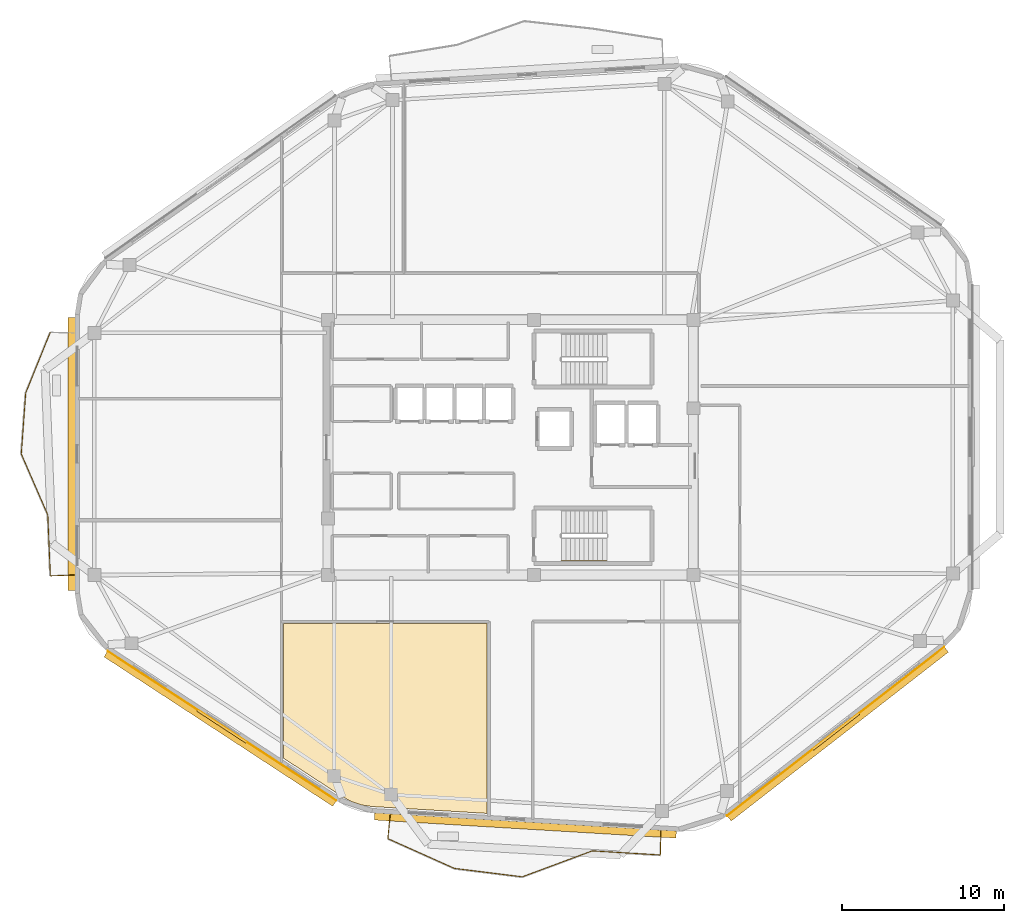
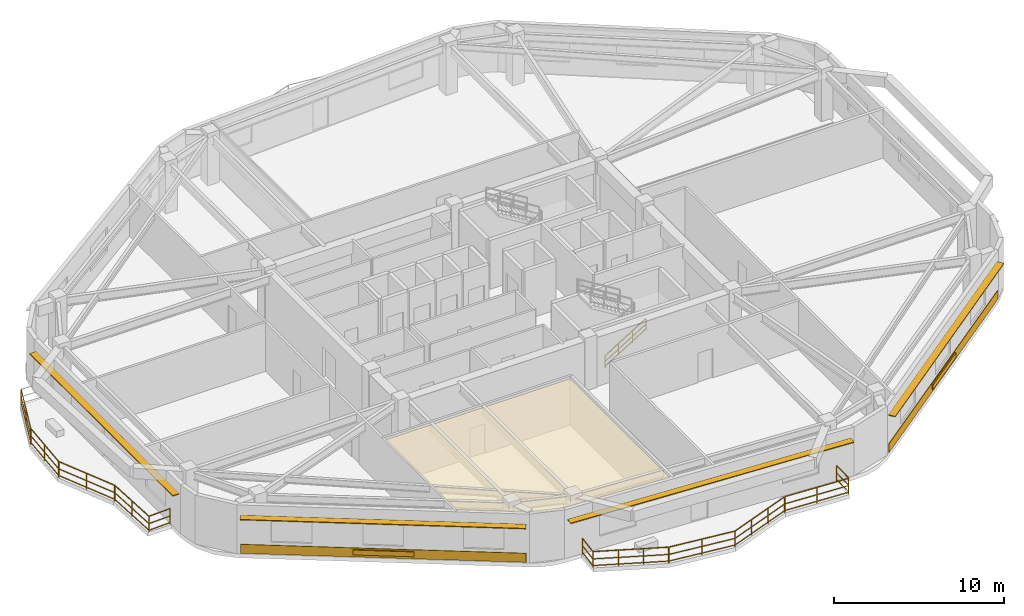
# One storey, part 7 of 9: 12 railings, 6 shading devices, 3 coverings.
"""IFC4 building model written with IfcOpenShell, lengths in metres."""

from ifc_helpers import new_model, si_unit, direction, frame, origin, origin_2d, place, context, subcontext, project, spatial, polyline, rectangle, outline, extrude, material, layer, layer_set, type_object, element, save


model = new_model("IFC4")

# Units and contexts
model_context = context("Model", 3, precision=1e-05, world=origin(), true_north=direction((0.0, 1.0)))
body_context = subcontext(model_context, "Body", "Model", "MODEL_VIEW")
ifc_project = project(units=[si_unit("LENGTHUNIT", "METRE"), si_unit("AREAUNIT", "SQUARE_METRE"), si_unit("VOLUMEUNIT", "CUBIC_METRE"), si_unit("PLANEANGLEUNIT", "RADIAN"), si_unit("MASSUNIT", "GRAM", prefix="KILO")], contexts=[model_context])

# Site, building, storey
site_placement = place(None, origin())
site = spatial("IfcSite", under=ifc_project, at=site_placement, CompositionType="ELEMENT")
building_placement = place(site_placement, origin())
building = spatial("IfcBuilding", under=site, at=building_placement, Name="Zulverin Broadcast Headquarters", CompositionType="ELEMENT")
storey_placement = place(building_placement, frame((0.0, 0.0, 259.199951171875)))
storey = spatial("IfcBuildingStorey", under=building, at=storey_placement, Name="L66", CompositionType="ELEMENT", Elevation=259.199951171875)

# Coverings
ifc_material_1 = material(Name="Perforated pale-metal acoustic baffle ceiling", Category="aluminium")
ifc_layer_1 = layer(ifc_material_1, 0.0400390625, Name="Perforated pale-metal acoustic baffle ceiling", Category="aluminium")
ifc_layer_set_1 = layer_set([ifc_layer_1], Name="Perforated pale-metal acoustic baffle ceiling")
covering_type_1 = type_object("IfcCoveringType", Name="COV-CEIL-ACOU", PredefinedType="CEILING", material=ifc_layer_set_1)
covering_1_placement = place(storey_placement, frame((0.0, 0.0, 3.330078125)))
element("IfcCovering", 1, at=covering_1_placement, inside=storey, type_object=covering_type_1, Name="L66 Acoustic Baffle Ceiling 03", PredefinedType="CEILING", context=body_context, shape_type="SweptSolid", body=[
    extrude(outline(polyline([(27.18798828125, 3.33203125), (27.7958984375, 3.1279296875), (28.444091796875, 3.031982421875), (35.531982421875, 2.60791015625), (35.531982421875, 14.33203125), (22.968017578125, 14.33203125), (22.968017578125, 6.01611328125), (26.60791015625, 3.639892578125), (27.18798828125, 3.33203125)])), origin(), (0.0, 0.0, 1.0), 0.0400390625),
])
ifc_material_2 = material(Name="Brushed pale-aluminium rainscreen cladding", Category="aluminium")
ifc_layer_2 = layer(ifc_material_2, 0.0400390625, Name="Brushed pale-aluminium rainscreen cladding", Category="aluminium")
ifc_layer_set_2 = layer_set([ifc_layer_2], Name="Brushed pale-aluminium rainscreen cladding")
covering_type_2 = type_object("IfcCoveringType", Name="COV-CLAD-PALE", PredefinedType="CLADDING", material=ifc_layer_set_2)
covering_2_placement = place(storey_placement, frame((57.059326171875, 7.6767578125, 0.05517578125), z_axis=(0.0, 0.0, 1.0), x_axis=(0.789459183061, 0.613803061479, 0.0)))
element("IfcCovering", 2, at=covering_2_placement, inside=storey, type_object=covering_type_2, Name="L66 Brushed Pale-Aluminium Spandrel Cladding 2", PredefinedType="CLADDING", context=body_context, shape_type="SweptSolid", body=[
    extrude(rectangle(XDim=16.987548828125, YDim=0.0400390625, at=origin_2d()), origin(), (0.0, 0.0, 1.0), 0.64990234375),
])
covering_3_placement = place(storey_placement, frame((19.17578125, 8.00732421875, 0.05517578125), z_axis=(0.0, 0.0, 1.0), x_axis=(0.837115830387, -0.54702567263, 0.0)))
element("IfcCovering", 3, at=covering_3_placement, inside=storey, type_object=covering_type_2, Name="L66 Brushed Pale-Aluminium Spandrel Cladding 8", PredefinedType="CLADDING", context=body_context, shape_type="SweptSolid", body=[
    extrude(rectangle(XDim=16.859130859375, YDim=0.0400390625, at=origin_2d()), origin(), (0.0, 0.0, 1.0), 0.64990234375),
])

# Railings
ifc_material_3 = material(Name="Brushed stainless steel & laminated glass balustrade", Category="steel")
railing_type_1 = type_object("IfcRailingType", Name="RL-GUARD-1150", PredefinedType="GUARDRAIL", material=ifc_material_3)
railing_1_placement = place(storey_placement, frame((8.574462890625, 32.311279296875, 0.0)))
element("IfcRailing", 4, at=railing_1_placement, inside=storey, type_object=railing_type_1, Name="L66 Vertical-Forest Balcony Guardrail BAL_W Segment 02", PredefinedType="GUARDRAIL", context=body_context, shape_type="SweptSolid", body=[
    extrude(rectangle(XDim=0.048095703125, YDim=0.048095703125, at=origin_2d()), frame((0.0, 0.0, 1.1259765625), z_axis=(-0.374907709016, -0.927062139083, 0.0), x_axis=(0.927062139083, -0.374907709016, 0.0)), (0.0, 0.0, 1.0), 4.0302734375),
    extrude(rectangle(XDim=0.0419921875, YDim=0.0419921875, at=origin_2d()), frame((0.0, 0.0, 0.597900390625), z_axis=(-0.374907709016, -0.927062139083, 0.0), x_axis=(0.927062139083, -0.374907709016, 0.0)), (0.0, 0.0, 1.0), 4.0302734375),
    extrude(rectangle(XDim=0.0419921875, YDim=0.0419921875, at=origin_2d()), frame((0.0, 0.0, 0.1201171875), z_axis=(-0.374907709016, -0.927062139083, 0.0), x_axis=(0.927062139083, -0.374907709016, 0.0)), (0.0, 0.0, 1.0), 4.0302734375),
    extrude(rectangle(XDim=0.0419921875, YDim=0.0419921875, at=origin_2d()), origin(), (0.0, 0.0, 1.0), 1.101806640625),
    extrude(rectangle(XDim=0.0419921875, YDim=0.0419921875, at=origin_2d()), frame((-0.75537109375, -1.8681640625, 0.0)), (0.0, 0.0, 1.0), 1.101806640625),
    extrude(rectangle(XDim=0.0419921875, YDim=0.0419921875, at=origin_2d()), frame((-1.510986328125, -3.736328125, 0.0)), (0.0, 0.0, 1.0), 1.101806640625),
])
railing_2_placement = place(storey_placement, frame((7.056884765625, 28.546142578125, 0.0)))
element("IfcRailing", 5, at=railing_2_placement, inside=storey, type_object=railing_type_1, Name="L66 Vertical-Forest Balcony Guardrail BAL_W Segment 03", PredefinedType="GUARDRAIL", context=body_context, shape_type="SweptSolid", body=[
    extrude(rectangle(XDim=0.048095703125, YDim=0.048095703125, at=origin_2d()), frame((0.0, 0.0, 1.1259765625), z_axis=(-0.072252637451, -0.997386362641, 0.0), x_axis=(0.997386362641, -0.072252637451, 0.0)), (0.0, 0.0, 1.0), 3.743896484375),
    extrude(rectangle(XDim=0.0419921875, YDim=0.0419921875, at=origin_2d()), frame((0.0, 0.0, 0.597900390625), z_axis=(-0.072252637451, -0.997386362641, 0.0), x_axis=(0.997386362641, -0.072252637451, 0.0)), (0.0, 0.0, 1.0), 3.743896484375),
    extrude(rectangle(XDim=0.0419921875, YDim=0.0419921875, at=origin_2d()), frame((0.0, 0.0, 0.1201171875), z_axis=(-0.072252637451, -0.997386362641, 0.0), x_axis=(0.997386362641, -0.072252637451, 0.0)), (0.0, 0.0, 1.0), 3.743896484375),
    extrude(rectangle(XDim=0.0419921875, YDim=0.0419921875, at=origin_2d()), origin(), (0.0, 0.0, 1.0), 1.101806640625),
    extrude(rectangle(XDim=0.0419921875, YDim=0.0419921875, at=origin_2d()), frame((-0.13525390625, -1.8671875, 0.0)), (0.0, 0.0, 1.0), 1.101806640625),
    extrude(rectangle(XDim=0.0419921875, YDim=0.0419921875, at=origin_2d()), frame((-0.2705078125, -3.734130859375, 0.0)), (0.0, 0.0, 1.0), 1.101806640625),
])
railing_3_placement = place(storey_placement, frame((6.791259765625, 24.783203125, 0.0)))
element("IfcRailing", 6, at=railing_3_placement, inside=storey, type_object=railing_type_1, Name="L66 Vertical-Forest Balcony Guardrail BAL_W Segment 04", PredefinedType="GUARDRAIL", context=body_context, shape_type="SweptSolid", body=[
    extrude(rectangle(XDim=0.048095703125, YDim=0.048095703125, at=origin_2d()), frame((0.0, 0.0, 1.1259765625), z_axis=(0.398456564291, -0.91718720356, 0.0), x_axis=(0.91718720356, 0.398456564291, 0.0)), (0.0, 0.0, 1.0), 4.073974609375),
    extrude(rectangle(XDim=0.0419921875, YDim=0.0419921875, at=origin_2d()), frame((0.0, 0.0, 0.597900390625), z_axis=(0.398456564291, -0.91718720356, 0.0), x_axis=(0.91718720356, 0.398456564291, 0.0)), (0.0, 0.0, 1.0), 4.073974609375),
    extrude(rectangle(XDim=0.0419921875, YDim=0.0419921875, at=origin_2d()), frame((0.0, 0.0, 0.1201171875), z_axis=(0.398456564291, -0.91718720356, 0.0), x_axis=(0.91718720356, 0.398456564291, 0.0)), (0.0, 0.0, 1.0), 4.073974609375),
    extrude(rectangle(XDim=0.0419921875, YDim=0.0419921875, at=origin_2d()), origin(), (0.0, 0.0, 1.0), 1.101806640625),
    extrude(rectangle(XDim=0.0419921875, YDim=0.0419921875, at=origin_2d()), frame((0.8115234375, -1.8681640625, 0.0)), (0.0, 0.0, 1.0), 1.101806640625),
    extrude(rectangle(XDim=0.0419921875, YDim=0.0419921875, at=origin_2d()), frame((1.623291015625, -3.736572265625, 0.0)), (0.0, 0.0, 1.0), 1.101806640625),
])
railing_4_placement = place(storey_placement, frame((8.421142578125, 21.017822265625, 0.0)))
element("IfcRailing", 7, at=railing_4_placement, inside=storey, type_object=railing_type_1, Name="L66 Vertical-Forest Balcony Guardrail BAL_W Segment 05", PredefinedType="GUARDRAIL", context=body_context, shape_type="SweptSolid", body=[
    extrude(rectangle(XDim=0.048095703125, YDim=0.048095703125, at=origin_2d()), frame((0.0, 0.0, 1.1259765625), z_axis=(0.042328814625, -0.99910373408, 0.0), x_axis=(0.99910373408, 0.042328814625, 0.0)), (0.0, 0.0, 1.0), 3.737548828125),
    extrude(rectangle(XDim=0.0419921875, YDim=0.0419921875, at=origin_2d()), frame((0.0, 0.0, 0.597900390625), z_axis=(0.042328814625, -0.99910373408, 0.0), x_axis=(0.99910373408, 0.042328814625, 0.0)), (0.0, 0.0, 1.0), 3.737548828125),
    extrude(rectangle(XDim=0.0419921875, YDim=0.0419921875, at=origin_2d()), frame((0.0, 0.0, 0.1201171875), z_axis=(0.042328814625, -0.99910373408, 0.0), x_axis=(0.99910373408, 0.042328814625, 0.0)), (0.0, 0.0, 1.0), 3.737548828125),
    extrude(rectangle(XDim=0.0419921875, YDim=0.0419921875, at=origin_2d()), origin(), (0.0, 0.0, 1.0), 1.101806640625),
    extrude(rectangle(XDim=0.0419921875, YDim=0.0419921875, at=origin_2d()), frame((0.0791015625, -1.8671875, 0.0)), (0.0, 0.0, 1.0), 1.101806640625),
    extrude(rectangle(XDim=0.0419921875, YDim=0.0419921875, at=origin_2d()), frame((0.158203125, -3.734130859375, 0.0)), (0.0, 0.0, 1.0), 1.101806640625),
])
railing_5_placement = place(storey_placement, frame((8.594970703125, 17.269287109375, 0.0)))
element("IfcRailing", 8, at=railing_5_placement, inside=storey, type_object=railing_type_1, Name="L66 Vertical-Forest Balcony Guardrail BAL_W Segment 06", PredefinedType="GUARDRAIL", context=body_context, shape_type="SweptSolid", body=[
    extrude(rectangle(XDim=0.048095703125, YDim=0.048095703125, at=origin_2d()), frame((0.0, 0.0, 1.1259765625), z_axis=(0.999181155166, 0.040460093435, 0.0), x_axis=(-0.040460093435, 0.999181155166, 0.0)), (0.0, 0.0, 1.0), 1.46630859375),
    extrude(rectangle(XDim=0.0419921875, YDim=0.0419921875, at=origin_2d()), frame((0.0, 0.0, 0.597900390625), z_axis=(0.999181155166, 0.040460093435, 0.0), x_axis=(-0.040460093435, 0.999181155166, 0.0)), (0.0, 0.0, 1.0), 1.46630859375),
    extrude(rectangle(XDim=0.0419921875, YDim=0.0419921875, at=origin_2d()), frame((0.0, 0.0, 0.1201171875), z_axis=(0.999181155166, 0.040460093435, 0.0), x_axis=(-0.040460093435, 0.999181155166, 0.0)), (0.0, 0.0, 1.0), 1.46630859375),
    extrude(rectangle(XDim=0.0419921875, YDim=0.0419921875, at=origin_2d()), origin(), (0.0, 0.0, 1.0), 1.101806640625),
    extrude(rectangle(XDim=0.0419921875, YDim=0.0419921875, at=origin_2d()), frame((1.465087890625, 0.059326171875, 0.0)), (0.0, 0.0, 1.0), 1.101806640625),
])
railing_6_placement = place(storey_placement, frame((29.5576171875, 2.525390625, 0.0)))
element("IfcRailing", 9, at=railing_6_placement, inside=storey, type_object=railing_type_1, Name="L66 Vertical-Forest Balcony Guardrail BAL_S Segment 01", PredefinedType="GUARDRAIL", context=body_context, shape_type="SweptSolid", body=[
    extrude(rectangle(XDim=0.048095703125, YDim=0.048095703125, at=origin_2d()), frame((0.0, 0.0, 1.1259765625), z_axis=(-0.100245616419, -0.994962721105, 0.0), x_axis=(0.994962721105, -0.100245616419, 0.0)), (0.0, 0.0, 1.0), 1.466064453125),
    extrude(rectangle(XDim=0.0419921875, YDim=0.0419921875, at=origin_2d()), frame((0.0, 0.0, 0.597900390625), z_axis=(-0.100245616419, -0.994962721105, 0.0), x_axis=(0.994962721105, -0.100245616419, 0.0)), (0.0, 0.0, 1.0), 1.466064453125),
    extrude(rectangle(XDim=0.0419921875, YDim=0.0419921875, at=origin_2d()), frame((0.0, 0.0, 0.1201171875), z_axis=(-0.100245616419, -0.994962721105, 0.0), x_axis=(0.994962721105, -0.100245616419, 0.0)), (0.0, 0.0, 1.0), 1.466064453125),
    extrude(rectangle(XDim=0.0419921875, YDim=0.0419921875, at=origin_2d()), origin(), (0.0, 0.0, 1.0), 1.101806640625),
    extrude(rectangle(XDim=0.0419921875, YDim=0.0419921875, at=origin_2d()), frame((-0.14697265625, -1.458740234375, 0.0)), (0.0, 0.0, 1.0), 1.101806640625),
])
railing_7_placement = place(storey_placement, frame((29.4228515625, 1.045654296875, 0.0)))
element("IfcRailing", 10, at=railing_7_placement, inside=storey, type_object=railing_type_1, Name="L66 Vertical-Forest Balcony Guardrail BAL_S Segment 02", PredefinedType="GUARDRAIL", context=body_context, shape_type="SweptSolid", body=[
    extrude(rectangle(XDim=0.048095703125, YDim=0.048095703125, at=origin_2d()), frame((0.0, 0.0, 1.1259765625), z_axis=(0.912796308073, -0.408415107419, 0.0), x_axis=(0.408415107419, 0.912796308073, 0.0)), (0.0, 0.0, 1.0), 4.474853515625),
    extrude(rectangle(XDim=0.0419921875, YDim=0.0419921875, at=origin_2d()), frame((0.0, 0.0, 0.597900390625), z_axis=(0.912796308073, -0.408415107419, 0.0), x_axis=(0.408415107419, 0.912796308073, 0.0)), (0.0, 0.0, 1.0), 4.474853515625),
    extrude(rectangle(XDim=0.0419921875, YDim=0.0419921875, at=origin_2d()), frame((0.0, 0.0, 0.1201171875), z_axis=(0.912796308073, -0.408415107419, 0.0), x_axis=(0.408415107419, 0.912796308073, 0.0)), (0.0, 0.0, 1.0), 4.474853515625),
    extrude(rectangle(XDim=0.0419921875, YDim=0.0419921875, at=origin_2d()), origin(), (0.0, 0.0, 1.0), 1.101806640625),
    extrude(rectangle(XDim=0.0419921875, YDim=0.0419921875, at=origin_2d()), frame((1.361572265625, -0.609130859375, 0.0)), (0.0, 0.0, 1.0), 1.101806640625),
    extrude(rectangle(XDim=0.0419921875, YDim=0.0419921875, at=origin_2d()), frame((2.72314453125, -1.218505859375, 0.0)), (0.0, 0.0, 1.0), 1.101806640625),
    extrude(rectangle(XDim=0.0419921875, YDim=0.0419921875, at=origin_2d()), frame((4.084716796875, -1.82763671875, 0.0)), (0.0, 0.0, 1.0), 1.101806640625),
])
railing_8_placement = place(storey_placement, frame((33.5361328125, -0.7900390625, 0.0)))
element("IfcRailing", 11, at=railing_8_placement, inside=storey, type_object=railing_type_1, Name="L66 Vertical-Forest Balcony Guardrail BAL_S Segment 03", PredefinedType="GUARDRAIL", context=body_context, shape_type="SweptSolid", body=[
    extrude(rectangle(XDim=0.048095703125, YDim=0.048095703125, at=origin_2d()), frame((0.0, 0.0, 1.1259765625), z_axis=(0.992375201283, -0.123253640429, 0.0), x_axis=(0.123253640429, 0.992375201283, 0.0)), (0.0, 0.0, 1.0), 4.193359375),
    extrude(rectangle(XDim=0.0419921875, YDim=0.0419921875, at=origin_2d()), frame((0.0, 0.0, 0.597900390625), z_axis=(0.992375201283, -0.123253640429, 0.0), x_axis=(0.123253640429, 0.992375201283, 0.0)), (0.0, 0.0, 1.0), 4.193359375),
    extrude(rectangle(XDim=0.0419921875, YDim=0.0419921875, at=origin_2d()), frame((0.0, 0.0, 0.1201171875), z_axis=(0.992375201283, -0.123253640429, 0.0), x_axis=(0.123253640429, 0.992375201283, 0.0)), (0.0, 0.0, 1.0), 4.193359375),
    extrude(rectangle(XDim=0.0419921875, YDim=0.0419921875, at=origin_2d()), origin(), (0.0, 0.0, 1.0), 1.101806640625),
    extrude(rectangle(XDim=0.0419921875, YDim=0.0419921875, at=origin_2d()), frame((2.08056640625, -0.25830078125, 0.0)), (0.0, 0.0, 1.0), 1.101806640625),
    extrude(rectangle(XDim=0.0419921875, YDim=0.0419921875, at=origin_2d()), frame((4.161376953125, -0.516845703125, 0.0)), (0.0, 0.0, 1.0), 1.101806640625),
])
railing_9_placement = place(storey_placement, frame((37.7265625, -1.303466796875, 0.0)))
element("IfcRailing", 12, at=railing_9_placement, inside=storey, type_object=railing_type_1, Name="L66 Vertical-Forest Balcony Guardrail BAL_S Segment 04", PredefinedType="GUARDRAIL", context=body_context, shape_type="SweptSolid", body=[
    extrude(rectangle(XDim=0.048095703125, YDim=0.048095703125, at=origin_2d()), frame((0.0, 0.0, 1.1259765625), z_axis=(0.937520756243, 0.347929348595, 0.0), x_axis=(-0.347929348595, 0.937520756243, 0.0)), (0.0, 0.0, 1.0), 4.576416015625),
    extrude(rectangle(XDim=0.0419921875, YDim=0.0419921875, at=origin_2d()), frame((0.0, 0.0, 0.597900390625), z_axis=(0.937520756243, 0.347929348595, 0.0), x_axis=(-0.347929348595, 0.937520756243, 0.0)), (0.0, 0.0, 1.0), 4.576416015625),
    extrude(rectangle(XDim=0.0419921875, YDim=0.0419921875, at=origin_2d()), frame((0.0, 0.0, 0.1201171875), z_axis=(0.937520756243, 0.347929348595, 0.0), x_axis=(-0.347929348595, 0.937520756243, 0.0)), (0.0, 0.0, 1.0), 4.576416015625),
    extrude(rectangle(XDim=0.0419921875, YDim=0.0419921875, at=origin_2d()), origin(), (0.0, 0.0, 1.0), 1.101806640625),
    extrude(rectangle(XDim=0.0419921875, YDim=0.0419921875, at=origin_2d()), frame((1.43017578125, 0.53076171875, 0.0)), (0.0, 0.0, 1.0), 1.101806640625),
    extrude(rectangle(XDim=0.0419921875, YDim=0.0419921875, at=origin_2d()), frame((2.8603515625, 1.0615234375, 0.0)), (0.0, 0.0, 1.0), 1.101806640625),
    extrude(rectangle(XDim=0.0419921875, YDim=0.0419921875, at=origin_2d()), frame((4.29052734375, 1.59228515625, 0.0)), (0.0, 0.0, 1.0), 1.101806640625),
])
railing_10_placement = place(storey_placement, frame((42.046142578125, 0.29296875, 0.0)))
element("IfcRailing", 13, at=railing_10_placement, inside=storey, type_object=railing_type_1, Name="L66 Vertical-Forest Balcony Guardrail BAL_S Segment 05", PredefinedType="GUARDRAIL", context=body_context, shape_type="SweptSolid", body=[
    extrude(rectangle(XDim=0.048095703125, YDim=0.048095703125, at=origin_2d()), frame((0.0, 0.0, 1.1259765625), z_axis=(0.998203450049, -0.059915543144, 0.0), x_axis=(0.059915543144, 0.998203450049, 0.0)), (0.0, 0.0, 1.0), 4.184814453125),
    extrude(rectangle(XDim=0.0419921875, YDim=0.0419921875, at=origin_2d()), frame((0.0, 0.0, 0.597900390625), z_axis=(0.998203450049, -0.059915543144, 0.0), x_axis=(0.059915543144, 0.998203450049, 0.0)), (0.0, 0.0, 1.0), 4.184814453125),
    extrude(rectangle(XDim=0.0419921875, YDim=0.0419921875, at=origin_2d()), frame((0.0, 0.0, 0.1201171875), z_axis=(0.998203450049, -0.059915543144, 0.0), x_axis=(0.059915543144, 0.998203450049, 0.0)), (0.0, 0.0, 1.0), 4.184814453125),
    extrude(rectangle(XDim=0.0419921875, YDim=0.0419921875, at=origin_2d()), origin(), (0.0, 0.0, 1.0), 1.101806640625),
    extrude(rectangle(XDim=0.0419921875, YDim=0.0419921875, at=origin_2d()), frame((2.088623046875, -0.12548828125, 0.0)), (0.0, 0.0, 1.0), 1.101806640625),
    extrude(rectangle(XDim=0.0419921875, YDim=0.0419921875, at=origin_2d()), frame((4.17724609375, -0.250732421875, 0.0)), (0.0, 0.0, 1.0), 1.101806640625),
])
railing_11_placement = place(storey_placement, frame((46.23876953125, 0.056396484375, 0.0)))
element("IfcRailing", 14, at=railing_11_placement, inside=storey, type_object=railing_type_1, Name="L66 Vertical-Forest Balcony Guardrail BAL_S Segment 06", PredefinedType="GUARDRAIL", context=body_context, shape_type="SweptSolid", body=[
    extrude(rectangle(XDim=0.048095703125, YDim=0.048095703125, at=origin_2d()), frame((0.0, 0.0, 1.1259765625), z_axis=(0.019483309682, 0.999810182307, 0.0), x_axis=(-0.999810182307, 0.019483309682, 0.0)), (0.0, 0.0, 1.0), 1.466064453125),
    extrude(rectangle(XDim=0.0419921875, YDim=0.0419921875, at=origin_2d()), frame((0.0, 0.0, 0.597900390625), z_axis=(0.019483309682, 0.999810182307, 0.0), x_axis=(-0.999810182307, 0.019483309682, 0.0)), (0.0, 0.0, 1.0), 1.466064453125),
    extrude(rectangle(XDim=0.0419921875, YDim=0.0419921875, at=origin_2d()), frame((0.0, 0.0, 0.1201171875), z_axis=(0.019483309682, 0.999810182307, 0.0), x_axis=(-0.999810182307, 0.019483309682, 0.0)), (0.0, 0.0, 1.0), 1.466064453125),
    extrude(rectangle(XDim=0.0419921875, YDim=0.0419921875, at=origin_2d()), origin(), (0.0, 0.0, 1.0), 1.101806640625),
    extrude(rectangle(XDim=0.0419921875, YDim=0.0419921875, at=origin_2d()), frame((0.028564453125, 1.4658203125, 0.0)), (0.0, 0.0, 1.0), 1.101806640625),
])
ifc_material_4 = material(Name="Brushed stainless steel 48 mm handrail", Category="steel")
railing_type_2 = type_object("IfcRailingType", Name="RL-ST-HAND", PredefinedType="HANDRAIL", material=ifc_material_4)
railing_12_placement = place(storey_placement, frame((40.1298828125, 18.199951171875, 0.1728515625)))
element("IfcRailing", 15, at=railing_12_placement, inside=storey, type_object=railing_type_2, Name="L66 ST-2 stair handrail 1", PredefinedType="HANDRAIL", context=body_context, shape_type="SweptSolid", body=[
    extrude(rectangle(XDim=0.048095703125, YDim=0.048095703125, at=origin_2d()), frame((0.0, 0.0, 0.8759765625), z_axis=(0.851089632645, 0.0, 0.525020415988), x_axis=(0.0, 1.0, 0.0)), (0.0, 0.0, 1.0), 3.2900390625),
    extrude(rectangle(XDim=0.0419921875, YDim=0.0419921875, at=origin_2d()), frame((0.0, 0.0, 0.468017578125), z_axis=(0.851089632645, 0.0, 0.525020415988), x_axis=(0.0, 1.0, 0.0)), (0.0, 0.0, 1.0), 3.2900390625),
    extrude(rectangle(XDim=0.0419921875, YDim=0.0419921875, at=origin_2d()), frame((0.0, 0.0, 0.1201171875), z_axis=(0.851089632645, 0.0, 0.525020415988), x_axis=(0.0, 1.0, 0.0)), (0.0, 0.0, 1.0), 3.2900390625),
    extrude(rectangle(XDim=0.0419921875, YDim=0.0419921875, at=origin_2d()), origin(), (0.0, 0.0, 1.0), 0.851806640625),
    extrude(rectangle(XDim=0.0419921875, YDim=0.0419921875, at=origin_2d()), frame((0.933349609375, 0.0, 0.57568359375)), (0.0, 0.0, 1.0), 0.851806640625),
    extrude(rectangle(XDim=0.0419921875, YDim=0.0419921875, at=origin_2d()), frame((1.86669921875, 0.0, 1.151611328125)), (0.0, 0.0, 1.0), 0.851806640625),
    extrude(rectangle(XDim=0.0419921875, YDim=0.0419921875, at=origin_2d()), frame((2.800048828125, 0.0, 1.727294921875)), (0.0, 0.0, 1.0), 0.851806640625),
])

# Shading devices
ifc_material_5 = material(Name="Anodized pale-metal aluminium acoustic louvre", Category="aluminium")
shading_device_type_1 = type_object("IfcShadingDeviceType", Name="SHD-LOUVRE-350", PredefinedType="USERDEFINED", material=ifc_material_5)
for number, where, z_axis, x_axis, name in (
    (16, (57.077880859375, 7.653076171875, 0.2451171875), (0.0, 0.0, 1.0), (0.789459183061, 0.613803061479, 0.0), "L66 Spandrel Intake Louvre 2"),
    (17, (19.1591796875, 7.982421875, 0.2451171875), (0.0, 0.0, 1.0), (0.837115830387, -0.54702567263, 0.0), "L66 Spandrel Intake Louvre 8"),
):
    element("IfcShadingDevice", number, at=place(storey_placement, frame(where, z_axis=z_axis, x_axis=x_axis)), inside=storey, type_object=shading_device_type_1, Name=name, ObjectType="LOUVRE", PredefinedType="USERDEFINED", context=body_context, shape_type="SweptSolid", body=[
        extrude(rectangle(XDim=3.60009765625, YDim=0.1201171875, at=origin_2d()), origin(), (0.0, 0.0, 1.0), 0.35009765625),
    ])
ifc_material_6 = material(Name="Anodized pale-metal aluminium sunshade", Category="aluminium")
ifc_layer_3 = layer(ifc_material_6, 0.06005859375, Name="Anodized pale-metal aluminium sunshade", Category="aluminium")
ifc_layer_set_3 = layer_set([ifc_layer_3], Name="Anodized pale-metal aluminium sunshade")
shading_device_type_2 = type_object("IfcShadingDeviceType", Name="SS-01_PALE_METAL_ALUMINIUM_SUNSHADE", PredefinedType="USERDEFINED", material=ifc_layer_set_3)
shading_device_1_placement = place(storey_placement, frame((37.90283203125, 1.864013671875, 2.7099609375), z_axis=(0.0, 0.0, 1.0), x_axis=(0.998202681386, -0.059928347834, 0.0)))
element("IfcShadingDevice", 18, at=shading_device_1_placement, inside=storey, type_object=shading_device_type_2, Name="L66 Horizontal Pale-Metal Sunshade Band 1", ObjectType="SUNSHADE", PredefinedType="USERDEFINED", context=body_context, shape_type="SweptSolid", body=[
    extrude(rectangle(XDim=18.65966796875, YDim=0.449951171875, at=origin_2d()), origin(), (0.0, 0.0, 1.0), 0.06005859375),
])
shading_device_2_placement = place(storey_placement, frame((57.176025390625, 7.52685546875, 2.7099609375), z_axis=(0.0, 0.0, 1.0), x_axis=(0.789459183061, 0.613803061479, 0.0)))
element("IfcShadingDevice", 19, at=shading_device_2_placement, inside=storey, type_object=shading_device_type_2, Name="L66 Horizontal Pale-Metal Sunshade Band 2", ObjectType="SUNSHADE", PredefinedType="USERDEFINED", context=body_context, shape_type="SweptSolid", body=[
    extrude(rectangle(XDim=16.987548828125, YDim=0.449951171875, at=origin_2d()), origin(), (0.0, 0.0, 1.0), 0.06005859375),
])
shading_device_3_placement = place(storey_placement, frame((9.89990234375, 24.797119140625, 2.7099609375), z_axis=(0.0, 0.0, 1.0), x_axis=(0.0, -1.0, 0.0)))
element("IfcShadingDevice", 20, at=shading_device_3_placement, inside=storey, type_object=shading_device_type_2, Name="L66 Horizontal Pale-Metal Sunshade Band 7", ObjectType="SUNSHADE", PredefinedType="USERDEFINED", context=body_context, shape_type="SweptSolid", body=[
    extrude(rectangle(XDim=16.856689453125, YDim=0.449951171875, at=origin_2d()), origin(), (0.0, 0.0, 1.0), 0.06005859375),
])
shading_device_4_placement = place(storey_placement, frame((19.07177734375, 7.848388671875, 2.7099609375), z_axis=(0.0, 0.0, 1.0), x_axis=(0.837115830387, -0.54702567263, 0.0)))
element("IfcShadingDevice", 21, at=shading_device_4_placement, inside=storey, type_object=shading_device_type_2, Name="L66 Horizontal Pale-Metal Sunshade Band 8", ObjectType="SUNSHADE", PredefinedType="USERDEFINED", context=body_context, shape_type="SweptSolid", body=[
    extrude(rectangle(XDim=16.859130859375, YDim=0.449951171875, at=origin_2d()), origin(), (0.0, 0.0, 1.0), 0.06005859375),
])

save(model, "model.ifc")
